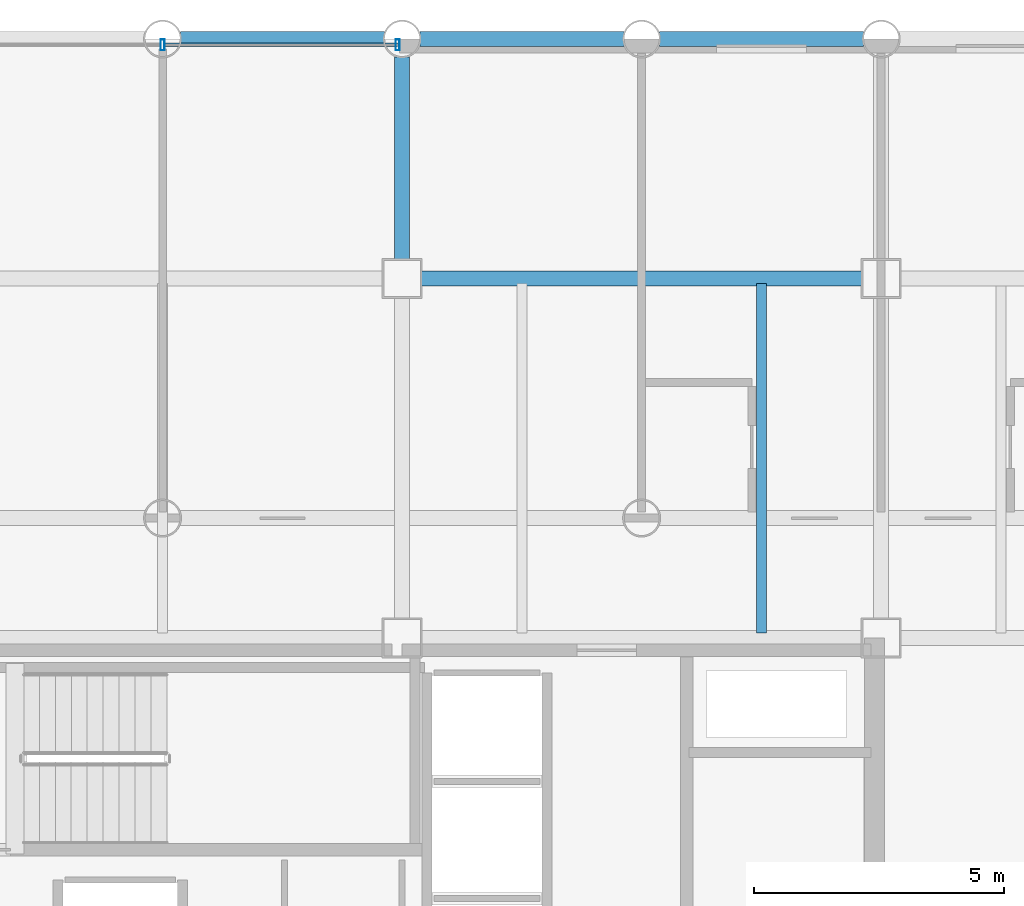
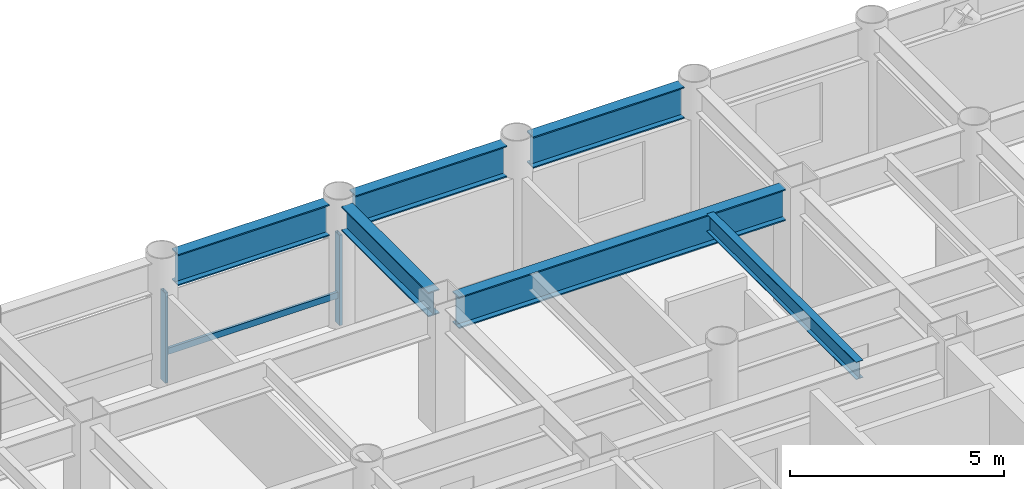
# One storey, part 12 of 21: 6 beams, 3 members, 1 element without a shape of its own.
"""IFC4 building model written with IfcOpenShell, lengths in metres."""

from ifc_helpers import new_model, si_unit, direction, frame, origin, origin_2d, place, context, subcontext, project, spatial, hollow_rectangle, i_section, extrude, material, layer, layer_set, material_profile, profile_set, type_object, element, aggregate, save


model = new_model("IFC4")

# Units and contexts
model_context = context("Model", 3, precision=1e-05, world=origin(), true_north=direction((0.0, 1.0)))
body_context = subcontext(model_context, "Body", "Model", "MODEL_VIEW")
ifc_project = project(units=[si_unit("LENGTHUNIT", "METRE"), si_unit("AREAUNIT", "SQUARE_METRE"), si_unit("VOLUMEUNIT", "CUBIC_METRE"), si_unit("PLANEANGLEUNIT", "RADIAN"), si_unit("MASSUNIT", "GRAM", prefix="KILO")], contexts=[model_context])

# Site, building, storey
site_placement = place(None, origin())
site = spatial("IfcSite", under=ifc_project, at=site_placement, CompositionType="ELEMENT")
building_placement = place(site_placement, origin())
building = spatial("IfcBuilding", under=site, at=building_placement, Name="Kallvorn Hotel Tower", CompositionType="ELEMENT")
storey_placement = place(building_placement, frame((0.0, 0.0, 41.10009765625)))
storey = spatial("IfcBuildingStorey", under=building, at=storey_placement, Name="L08", CompositionType="ELEMENT", Elevation=41.10009765625)

# Beams
ifc_material_1 = material(Name="Structural steel S355JR", Category="steel")
ifc_material_profile_1 = material_profile(ifc_material_1, i_section(OverallWidth=0.300048828125, OverallDepth=0.699951171875, WebThickness=0.01708984375, FlangeThickness=0.031982421875, at=origin_2d()), Name="HE 700 B")
ifc_profile_set_1 = profile_set([ifc_material_profile_1], Name="Structural steel S355JR")
beam_type_1 = type_object("IfcBeamType", Name="BM_HE700B", PredefinedType="BEAM", material=ifc_profile_set_1)
beam_1_placement = place(storey_placement, frame((4.800048828125, 14.77490234375, 3.169921875), z_axis=(0.0, 1.0, 0.0), x_axis=(-1.0, 0.0, 0.0)))
element("IfcBeam", 1, at=beam_1_placement, inside=storey, type_object=beam_type_1, Name="L09 Primary Y-Girder 118", PredefinedType="BEAM", context=body_context, shape_type="SweptSolid", body=[
    extrude(i_section(OverallWidth=0.300048828125, OverallDepth=0.699951171875, WebThickness=0.01708984375, FlangeThickness=0.031982421875, at=origin_2d()), origin(), (0.0, 0.0, 1.0), 4.069091796875),
])
ifc_material_2 = material(Name="Structural steel S355JR", Category="steel")
ifc_material_profile_2 = material_profile(ifc_material_2, i_section(OverallWidth=0.300048828125, OverallDepth=0.89990234375, WebThickness=0.0185546875, FlangeThickness=0.034912109375, at=origin_2d()), Name="HE 900 B")
ifc_profile_set_2 = profile_set([ifc_material_profile_2], Name="Structural steel S355JR")
beam_type_2 = type_object("IfcBeamType", Name="BM_HE900B", PredefinedType="BEAM", material=ifc_profile_set_2)
beam_2_placement = place(storey_placement, frame((5.175048828125, 14.39990234375, 3.06982421875), z_axis=(1.0, 0.0, 0.0), x_axis=(0.0, 1.0, 0.0)))
element("IfcBeam", 2, at=beam_2_placement, inside=storey, type_object=beam_type_2, Name="L09 Primary X-Girder 57", PredefinedType="BEAM", context=body_context, shape_type="SweptSolid", body=[
    extrude(i_section(OverallWidth=0.300048828125, OverallDepth=0.89990234375, WebThickness=0.0185546875, FlangeThickness=0.034912109375, at=origin_2d()), origin(), (0.0, 0.0, 1.0), 8.849853515625),
])
beam_3_placement = place(storey_placement, frame((0.35595703125, 19.199951171875, 3.06982421875), z_axis=(1.0, 0.0, 0.0), x_axis=(0.0, 1.0, 0.0)))
element("IfcBeam", 3, at=beam_3_placement, inside=storey, type_object=beam_type_2, Name="L09 Primary X-Girder 67", PredefinedType="BEAM", context=body_context, shape_type="SweptSolid", body=[
    extrude(i_section(OverallWidth=0.300048828125, OverallDepth=0.89990234375, WebThickness=0.0185546875, FlangeThickness=0.034912109375, at=origin_2d()), origin(), (0.0, 0.0, 1.0), 4.088134765625),
])
for number, where, z_axis, x_axis, name in (
    (4, (5.156005859375, 19.199951171875, 3.06982421875), (1.0, 0.0, 0.0), (0.0, 1.0, 0.0), "L09 Primary X-Girder 68"),
    (5, (9.9560546875, 19.199951171875, 3.06982421875), (1.0, 0.0, 0.0), (0.0, 1.0, 0.0), "L09 Primary X-Girder 69"),
):
    element("IfcBeam", number, at=place(storey_placement, frame(where, z_axis=z_axis, x_axis=x_axis)), inside=storey, type_object=beam_type_2, Name=name, PredefinedType="BEAM", context=body_context, shape_type="SweptSolid", body=[
        extrude(i_section(OverallWidth=0.300048828125, OverallDepth=0.89990234375, WebThickness=0.0185546875, FlangeThickness=0.034912109375, at=origin_2d()), origin(), (0.0, 0.0, 1.0), 4.087890625),
    ])
ifc_material_3 = material(Name="Structural steel S355JR", Category="steel")
ifc_material_profile_3 = material_profile(ifc_material_3, i_section(OverallWidth=0.199951171875, OverallDepth=0.5, WebThickness=0.01025390625, FlangeThickness=0.01611328125, at=origin_2d()), Name="IPE 500")
ifc_profile_set_3 = profile_set([ifc_material_profile_3], Name="Structural steel S355JR")
beam_type_3 = type_object("IfcBeamType", Name="BM_IPE500", PredefinedType="JOIST", material=ifc_profile_set_3)
beam_4_placement = place(storey_placement, frame((12.0, 7.300048828125, 3.27001953125), z_axis=(0.0, 1.0, 0.0), x_axis=(-1.0, 0.0, 0.0)))
element("IfcBeam", 6, at=beam_4_placement, inside=storey, type_object=beam_type_3, Name="L09 Secondary Composite Joist 205", PredefinedType="JOIST", context=body_context, shape_type="SweptSolid", body=[
    extrude(i_section(OverallWidth=0.199951171875, OverallDepth=0.5, WebThickness=0.01025390625, FlangeThickness=0.01611328125, at=origin_2d()), origin(), (0.0, 0.0, 1.0), 7.0),
])

# Curtain wall, members
ifc_material_4 = material(Name="Thermally broken black-anodised aluminium AA 6063-T6", Category="aluminium")
ifc_layer = layer(ifc_material_4, 0.199951171875)
ifc_layer_set = layer_set([ifc_layer], Name="CW_SYS_3_HOTEL_LOW")
curtain_wall_type = type_object("IfcCurtainWallType", Name="CW_SYS_3_HOTEL_LOW", PredefinedType="USERDEFINED", material=ifc_layer_set)
curtain_wall_placement = place(storey_placement, origin())
curtain_wall = element("IfcCurtainWall", 7, at=curtain_wall_placement, inside=storey, type_object=curtain_wall_type, Name="L08 Dark-Glass Curtain Wall CW-L08-NC", ObjectType="UNITISED CURTAIN WALL", PredefinedType="USERDEFINED")
ifc_material_5 = material(Name="Thermally broken black-anodised aluminium AA 6063-T6", Category="aluminium")
ifc_material_profile_4 = material_profile(ifc_material_5, hollow_rectangle(XDim=0.080078125, YDim=0.219970703125, WallThickness=0.0048828125, at=origin_2d()), Name="MUL 220x80")
ifc_profile_set_4 = profile_set([ifc_material_profile_4], Name="Thermally broken black-anodised aluminium AA 6063-T6")
member_type_1 = type_object("IfcMemberType", Name="CW_MULLION_220x80", PredefinedType="MULLION", material=ifc_profile_set_4)
member_1_placement = place(storey_placement, frame((0.0, 19.080078125, 0.02001953125), z_axis=(0.0, 0.0, 1.0), x_axis=(1.0, 0.0, 0.0)))
member_1 = element("IfcMember", 8, at=member_1_placement, type_object=member_type_1, Name="CW-L08-NC Mullion 01", PredefinedType="MULLION", context=body_context, shape_type="SweptSolid", body=[
    extrude(hollow_rectangle(XDim=0.080078125, YDim=0.219970703125, WallThickness=0.0048828125, at=origin_2d()), origin(), (0.0, 0.0, 1.0), 2.579833984375),
])
member_2_placement = place(storey_placement, frame((4.7099609375, 19.080078125, 0.02001953125), z_axis=(0.0, 0.0, 1.0), x_axis=(1.0, 0.0, 0.0)))
member_2 = element("IfcMember", 9, at=member_2_placement, type_object=member_type_1, Name="CW-L08-NC Mullion 02", PredefinedType="MULLION", context=body_context, shape_type="SweptSolid", body=[
    extrude(hollow_rectangle(XDim=0.080078125, YDim=0.219970703125, WallThickness=0.0048828125, at=origin_2d()), origin(), (0.0, 0.0, 1.0), 2.579833984375),
])
ifc_material_6 = material(Name="Thermally broken black-anodised aluminium AA 6063-T6", Category="aluminium")
ifc_material_profile_5 = material_profile(ifc_material_6, hollow_rectangle(XDim=0.070068359375, YDim=0.179931640625, WallThickness=0.00390625, at=origin_2d()), Name="TRN 180x70")
ifc_profile_set_5 = profile_set([ifc_material_profile_5], Name="Thermally broken black-anodised aluminium AA 6063-T6")
member_type_2 = type_object("IfcMemberType", Name="CW_TRANSOM_180x70", PredefinedType="USERDEFINED", material=ifc_profile_set_5)
member_3_placement = place(storey_placement, frame((0.0400390625, 19.080078125, 0.849853515625), z_axis=(1.0, 0.0, 0.0), x_axis=(0.0, 1.0, 0.0)))
member_3 = element("IfcMember", 10, at=member_3_placement, type_object=member_type_2, Name="CW-L08-NC Transom 01M", ObjectType="TRANSOM", PredefinedType="USERDEFINED", context=body_context, shape_type="SweptSolid", body=[
    extrude(hollow_rectangle(XDim=0.070068359375, YDim=0.179931640625, WallThickness=0.00390625, at=origin_2d()), origin(), (0.0, 0.0, 1.0), 4.669921875),
])
aggregate(curtain_wall, [member_1, member_2, member_3])

save(model, "model.ifc")
